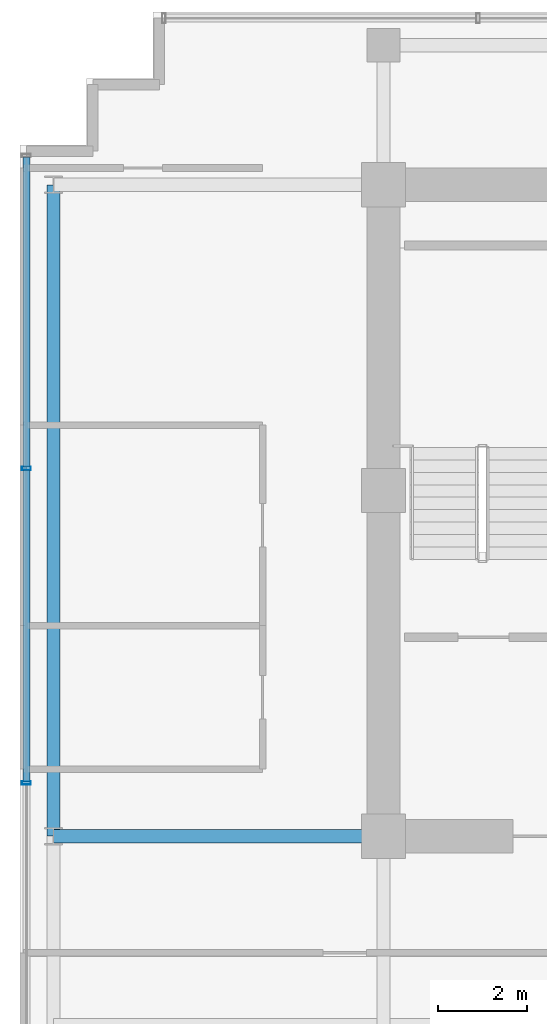
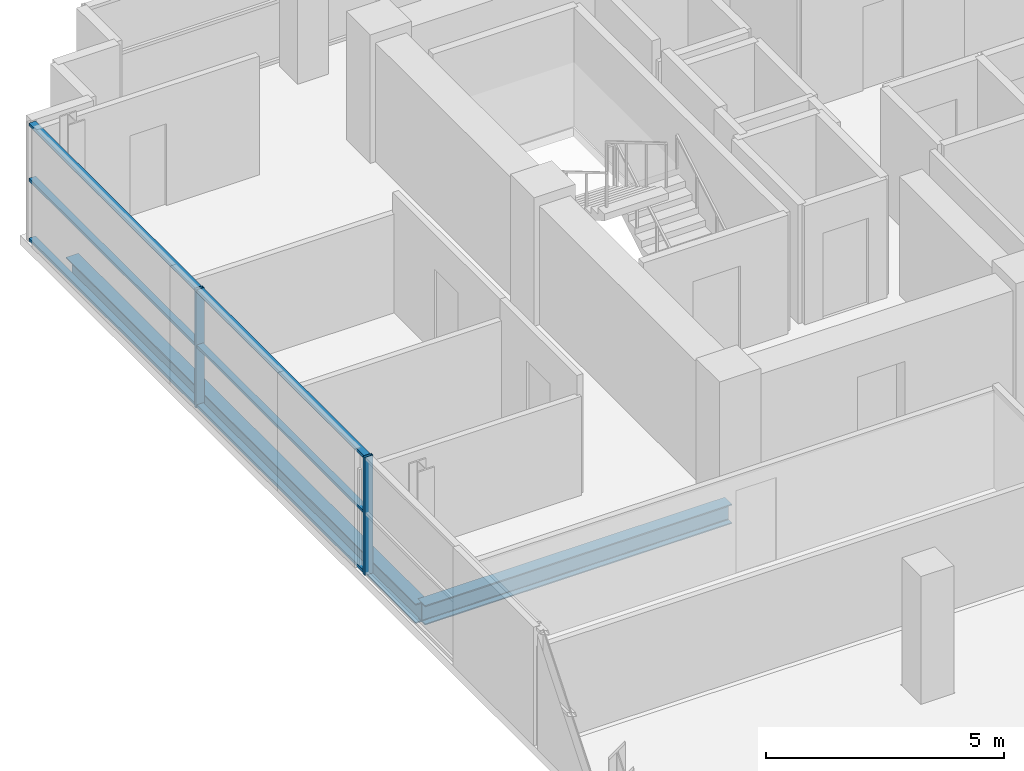
# One storey, part 7 of 22: 8 members, 2 beams, 1 element without a shape of its own.
"""IFC4 building model written with IfcOpenShell, lengths in metres."""

from ifc_helpers import new_model, si_unit, direction, frame, origin, origin_2d, place, context, subcontext, project, spatial, hollow_rectangle, i_section, extrude, source, transform, mapped, material, layer, layer_set, material_profile, profile_set, type_object, element, aggregate, save


model = new_model("IFC4")

# Units and contexts
model_context = context("Model", 3, precision=1e-05, world=origin(), true_north=direction((0.0, 1.0)))
body_context = subcontext(model_context, "Body", "Model", "MODEL_VIEW")
ifc_project = project(units=[si_unit("LENGTHUNIT", "METRE"), si_unit("AREAUNIT", "SQUARE_METRE"), si_unit("VOLUMEUNIT", "CUBIC_METRE"), si_unit("PLANEANGLEUNIT", "RADIAN"), si_unit("MASSUNIT", "GRAM", prefix="KILO")], contexts=[model_context])

# Site, building, storey
site_placement = place(None, origin())
site = spatial("IfcSite", under=ifc_project, at=site_placement, CompositionType="ELEMENT")
building_placement = place(site_placement, origin())
building = spatial("IfcBuilding", under=site, at=building_placement, Name="Zarnakvel Exchange Tower", CompositionType="ELEMENT")
storey_placement = place(building_placement, frame((0.0, 0.0, 195.699951171875)))
storey = spatial("IfcBuildingStorey", under=building, at=storey_placement, Name="L55", CompositionType="ELEMENT", Elevation=195.699951171875)

# Beams
ifc_material_1 = material(Name="Steel S355", Category="steel")
ifc_material_profile_1 = material_profile(ifc_material_1, i_section(OverallWidth=0.300048828125, OverallDepth=0.5, WebThickness=0.014404296875, FlangeThickness=0.028076171875, FilletRadius=0.027099609375, at=origin_2d()))
ifc_profile_set_1 = profile_set([ifc_material_profile_1], Name="Steel S355")
beam_type_1 = type_object("IfcBeamType", Name="G-06", PredefinedType="BEAM", material=ifc_profile_set_1)
beam_1_placement = place(storey_placement, frame((-21.85009765625, -1.199951171875, -0.474853515625), z_axis=(1.0, 0.0, 0.0), x_axis=(0.0, 1.0, 0.0)))
element("IfcBeam", 1, at=beam_1_placement, inside=storey, type_object=beam_type_1, Name="L55 Tower E-W Frame Beam", PredefinedType="BEAM", context=body_context, shape_type="SweptSolid", body=[
    extrude(i_section(OverallWidth=0.300048828125, OverallDepth=0.5, WebThickness=0.014404296875, FlangeThickness=0.028076171875, FilletRadius=0.027099609375, at=origin_2d()), origin(), (0.0, 0.0, 1.0), 7.4501953125),
])
ifc_material_profile_2 = material_profile(ifc_material_1, i_section(OverallWidth=0.300048828125, OverallDepth=0.5, WebThickness=0.014404296875, FlangeThickness=0.028076171875, FilletRadius=0.027099609375, at=origin_2d()))
ifc_profile_set_2 = profile_set([ifc_material_profile_2], Name="Steel S355")
beam_type_2 = type_object("IfcBeamType", Name="SP-02", PredefinedType="SPANDREL", material=ifc_profile_set_2)
beam_2_placement = place(storey_placement, frame((-21.85009765625, -1.199951171875, -0.474853515625), z_axis=(0.0, 1.0, 0.0), x_axis=(-1.0, 0.0, 0.0)))
element("IfcBeam", 2, at=beam_2_placement, inside=storey, type_object=beam_type_2, Name="L55 Tower N-S Frame Beam", PredefinedType="SPANDREL", context=body_context, shape_type="SweptSolid", body=[
    extrude(i_section(OverallWidth=0.300048828125, OverallDepth=0.5, WebThickness=0.014404296875, FlangeThickness=0.028076171875, FilletRadius=0.027099609375, at=origin_2d()), origin(), (0.0, 0.0, 1.0), 14.699951171875),
])

# Curtain wall, members
ifc_material_2 = material(Name="Architectural Bronze Anodised Aluminium", Category="aluminium")
ifc_layer = layer(ifc_material_2, 0.199951171875)
ifc_layer_set = layer_set([ifc_layer], Name="Architectural Bronze Anodised Aluminium")
curtain_wall_type = type_object("IfcCurtainWallType", Name="CW-04", PredefinedType="NOTDEFINED", material=ifc_layer_set)
curtain_wall_placement = place(storey_placement, origin())
curtain_wall = element("IfcCurtainWall", 3, at=curtain_wall_placement, inside=storey, type_object=curtain_wall_type, Name="L55 Curtain Wall CW-L55-W1 (CW-04)", PredefinedType="NOTDEFINED")
ifc_material_profile_3 = material_profile(ifc_material_2, hollow_rectangle(XDim=0.199951171875, YDim=0.074951171875, WallThickness=0.0048828125, at=origin_2d()))
ifc_profile_set_3 = profile_set([ifc_material_profile_3], Name="Architectural Bronze Anodised Aluminium")
member_type_1 = type_object("IfcMemberType", Name="CWM-04", PredefinedType="MULLION", material=ifc_profile_set_3)
shared_shape_1 = source(origin(), body_context, "Body", "SweptSolid", [
    extrude(hollow_rectangle(XDim=0.199951171875, YDim=0.074951171875, WallThickness=0.0048828125, at=origin_2d()), origin(), (0.0, 0.0, 1.0), 3.030029296875),
])
member_1_placement = place(storey_placement, frame((-22.4599609375, 0.0, 0.0), z_axis=(0.0, 0.0, 1.0), x_axis=(-1.0, 0.0, 0.0)))
member_1 = element("IfcMember", 4, at=member_1_placement, type_object=member_type_1, Name="CW-04 mullion 3", PredefinedType="MULLION", context=body_context, shape_type="MappedRepresentation", body=[
    mapped(shared_shape_1, transform((0.0, 0.0, 0.0), x_axis=(1.0, 0.0, 0.0), y_axis=(0.0, 1.0, 0.0), z_axis=(0.0, 0.0, 1.0), scale=1.0)),
])
member_2_placement = place(storey_placement, frame((-22.4599609375, 7.10009765625, 0.0), z_axis=(0.0, 0.0, 1.0), x_axis=(-1.0, 0.0, 0.0)))
member_2 = element("IfcMember", 5, at=member_2_placement, type_object=member_type_1, Name="CW-04 mullion 4", PredefinedType="MULLION", context=body_context, shape_type="MappedRepresentation", body=[
    mapped(shared_shape_1, transform((0.0, 0.0, 0.0), x_axis=(1.0, 0.0, 0.0), y_axis=(0.0, 1.0, 0.0), z_axis=(0.0, 0.0, 1.0), scale=1.0)),
])
ifc_material_profile_4 = material_profile(ifc_material_2, hollow_rectangle(XDim=0.159912109375, YDim=0.074951171875, WallThickness=0.00390625, at=origin_2d()))
ifc_profile_set_4 = profile_set([ifc_material_profile_4], Name="Architectural Bronze Anodised Aluminium")
member_type_2 = type_object("IfcMemberType", Name="CWT-04", PredefinedType="USERDEFINED", material=ifc_profile_set_4)
shared_shape_2 = source(origin(), body_context, "Body", "SweptSolid", [
    extrude(hollow_rectangle(XDim=0.159912109375, YDim=0.074951171875, WallThickness=0.00390625, at=origin_2d()), origin(), (0.0, 0.0, 1.0), 6.987548828125),
])
member_3_placement = place(storey_placement, frame((-22.4599609375, 7.137451171875, 0.03759765625), z_axis=(0.0, 1.0, 0.0), x_axis=(-1.0, 0.0, 0.0)))
member_3 = element("IfcMember", 6, at=member_3_placement, type_object=member_type_2, Name="CW-04 transom 4.1", ObjectType="TRANSOM", PredefinedType="USERDEFINED", context=body_context, shape_type="MappedRepresentation", body=[
    mapped(shared_shape_2, transform((0.0, 0.0, 0.0), x_axis=(1.0, 0.0, 0.0), y_axis=(0.0, 1.0, 0.0), z_axis=(0.0, 0.0, 1.0), scale=1.0)),
])
member_4_placement = place(storey_placement, frame((-22.4599609375, 7.137451171875, 1.57568359375), z_axis=(0.0, 1.0, 0.0), x_axis=(-1.0, 0.0, 0.0)))
member_4 = element("IfcMember", 7, at=member_4_placement, type_object=member_type_2, Name="CW-04 transom 4.2", ObjectType="TRANSOM", PredefinedType="USERDEFINED", context=body_context, shape_type="MappedRepresentation", body=[
    mapped(shared_shape_2, transform((0.0, 0.0, 0.0), x_axis=(1.0, 0.0, 0.0), y_axis=(0.0, 1.0, 0.0), z_axis=(0.0, 0.0, 1.0), scale=1.0)),
])
member_5_placement = place(storey_placement, frame((-22.4599609375, 7.137451171875, 2.992431640625), z_axis=(0.0, 1.0, 0.0), x_axis=(-1.0, 0.0, 0.0)))
member_5 = element("IfcMember", 8, at=member_5_placement, type_object=member_type_2, Name="CW-04 transom 4.3", ObjectType="TRANSOM", PredefinedType="USERDEFINED", context=body_context, shape_type="MappedRepresentation", body=[
    mapped(shared_shape_2, transform((0.0, 0.0, 0.0), x_axis=(1.0, 0.0, 0.0), y_axis=(0.0, 1.0, 0.0), z_axis=(0.0, 0.0, 1.0), scale=1.0)),
])
shared_shape_3 = source(origin(), body_context, "Body", "SweptSolid", [
    extrude(hollow_rectangle(XDim=0.159912109375, YDim=0.074951171875, WallThickness=0.00390625, at=origin_2d()), origin(), (0.0, 0.0, 1.0), 7.02490234375),
])
member_6_placement = place(storey_placement, frame((-22.4599609375, 0.03759765625, 0.03759765625), z_axis=(0.0, 1.0, 0.0), x_axis=(-1.0, 0.0, 0.0)))
member_6 = element("IfcMember", 9, at=member_6_placement, type_object=member_type_2, Name="CW-04 transom 3.1", ObjectType="TRANSOM", PredefinedType="USERDEFINED", context=body_context, shape_type="MappedRepresentation", body=[
    mapped(shared_shape_3, transform((0.0, 0.0, 0.0), x_axis=(1.0, 0.0, 0.0), y_axis=(0.0, 1.0, 0.0), z_axis=(0.0, 0.0, 1.0), scale=1.0)),
])
member_7_placement = place(storey_placement, frame((-22.4599609375, 0.03759765625, 1.57568359375), z_axis=(0.0, 1.0, 0.0), x_axis=(-1.0, 0.0, 0.0)))
member_7 = element("IfcMember", 10, at=member_7_placement, type_object=member_type_2, Name="CW-04 transom 3.2", ObjectType="TRANSOM", PredefinedType="USERDEFINED", context=body_context, shape_type="MappedRepresentation", body=[
    mapped(shared_shape_3, transform((0.0, 0.0, 0.0), x_axis=(1.0, 0.0, 0.0), y_axis=(0.0, 1.0, 0.0), z_axis=(0.0, 0.0, 1.0), scale=1.0)),
])
member_8_placement = place(storey_placement, frame((-22.4599609375, 0.03759765625, 2.992431640625), z_axis=(0.0, 1.0, 0.0), x_axis=(-1.0, 0.0, 0.0)))
member_8 = element("IfcMember", 11, at=member_8_placement, type_object=member_type_2, Name="CW-04 transom 3.3", ObjectType="TRANSOM", PredefinedType="USERDEFINED", context=body_context, shape_type="MappedRepresentation", body=[
    mapped(shared_shape_3, transform((0.0, 0.0, 0.0), x_axis=(1.0, 0.0, 0.0), y_axis=(0.0, 1.0, 0.0), z_axis=(0.0, 0.0, 1.0), scale=1.0)),
])
aggregate(curtain_wall, [member_1, member_2, member_6, member_7, member_8, member_3, member_4, member_5])

save(model, "model.ifc")
